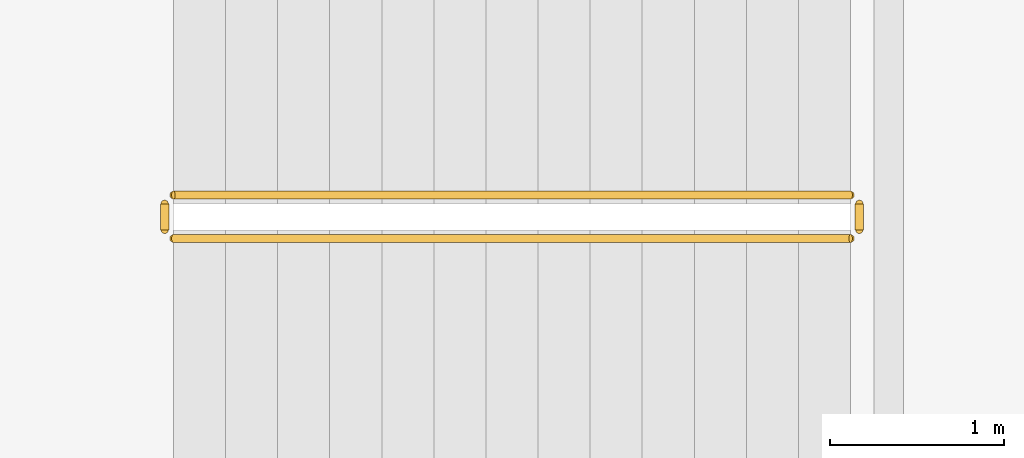
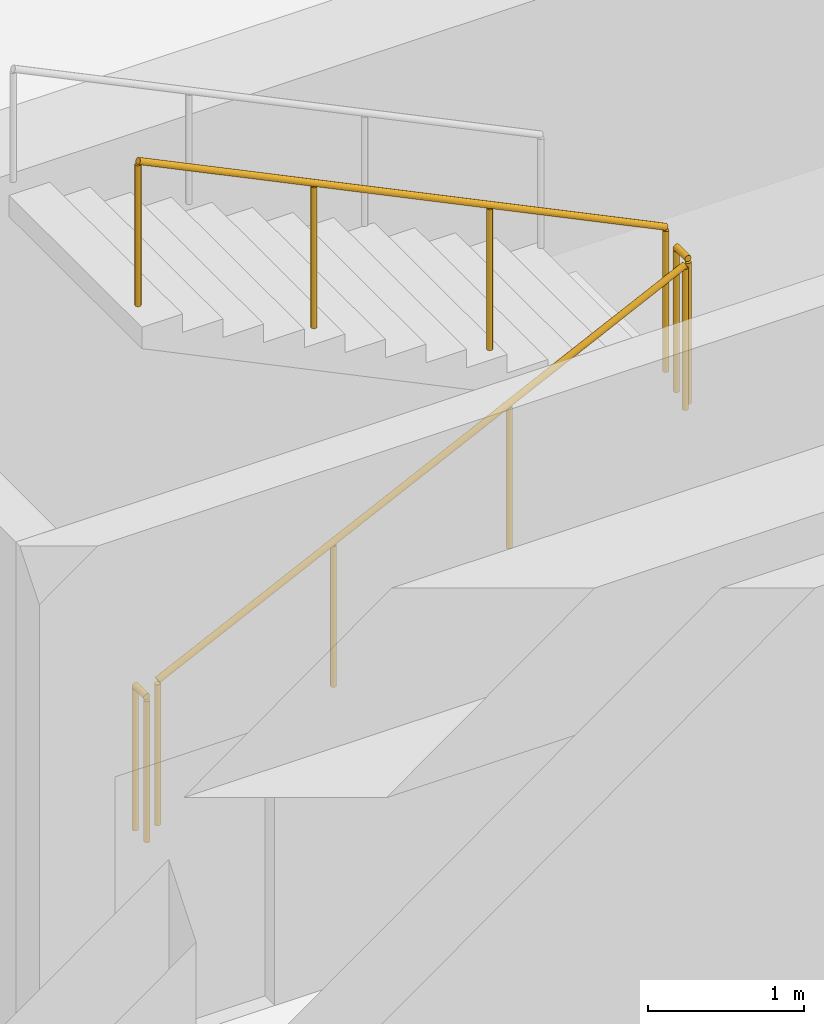
# One storey, part 35 of 36: 4 railings.
"""IFC4 building model written with IfcOpenShell, lengths in metres."""

from ifc_helpers import new_model, si_unit, direction, frame, origin, origin_2d, place, context, subcontext, project, spatial, circle, extrude, material, type_object, element, save


model = new_model("IFC4")

# Units and contexts
model_context = context("Model", 3, precision=1e-05, world=origin(), true_north=direction((0.0, 1.0)))
body_context = subcontext(model_context, "Body", "Model", "MODEL_VIEW")
ifc_project = project(units=[si_unit("LENGTHUNIT", "METRE"), si_unit("AREAUNIT", "SQUARE_METRE"), si_unit("VOLUMEUNIT", "CUBIC_METRE"), si_unit("PLANEANGLEUNIT", "RADIAN"), si_unit("MASSUNIT", "GRAM", prefix="KILO")], contexts=[model_context])

# Site, building, storey
site_placement = place(None, origin())
site = spatial("IfcSite", under=ifc_project, at=site_placement, CompositionType="ELEMENT")
building_placement = place(site_placement, origin())
building = spatial("IfcBuilding", under=site, at=building_placement, Name="Punatoya Terracotta Tower", CompositionType="ELEMENT")
storey_placement = place(building_placement, frame((0.0, 0.0, 212.699951171875)))
storey = spatial("IfcBuildingStorey", under=building, at=storey_placement, Name="L50", CompositionType="ELEMENT", Elevation=212.699951171875)

# Railings
ifc_material = material(Name="Steel S355", Category="steel")
railing_type = type_object("IfcRailingType", Name="RLG-GRD-1150", PredefinedType="GUARDRAIL", material=ifc_material)
railing_1_placement = place(storey_placement, frame((-2.89990234375, 6.949951171875, 0.144775390625)))
element("IfcRailing", 1, at=railing_1_placement, inside=storey, type_object=railing_type, Name="L50 ST-3 stair guard 1", PredefinedType="GUARDRAIL", context=body_context, shape_type="SweptSolid", body=[
    extrude(circle(Radius=0.02392578125, at=origin_2d()), frame((0.0, 0.0, 1.1259765625), z_axis=(0.900763166376, 0.0, 0.434310623978), x_axis=(0.0, 1.0, 0.0)), (0.0, 0.0, 1.0), 4.32958984375),
    extrude(circle(Radius=0.02099609375, at=origin_2d()), origin(), (0.0, 0.0, 1.0), 1.101806640625),
    extrude(circle(Radius=0.02099609375, at=origin_2d()), frame((1.300048828125, 0.0, 0.626708984375)), (0.0, 0.0, 1.0), 1.101806640625),
    extrude(circle(Radius=0.02099609375, at=origin_2d()), frame((2.599853515625, 0.0, 1.253662109375)), (0.0, 0.0, 1.0), 1.101806640625),
    extrude(circle(Radius=0.02099609375, at=origin_2d()), frame((3.89990234375, 0.0, 1.88037109375)), (0.0, 0.0, 1.0), 1.101806640625),
])
railing_2_placement = place(storey_placement, frame((1.050048828125, 7.0, 2.025146484375)))
element("IfcRailing", 2, at=railing_2_placement, inside=storey, type_object=railing_type, Name="L50 ST-3 stair guard 2", PredefinedType="GUARDRAIL", context=body_context, shape_type="SweptSolid", body=[
    extrude(circle(Radius=0.02392578125, at=origin_2d()), frame((0.0, 0.0, 1.1259765625), z_axis=(0.0, 1.0, 0.0), x_axis=(-1.0, 0.0, 0.0)), (0.0, 0.0, 1.0), 0.14990234375),
    extrude(circle(Radius=0.02099609375, at=origin_2d()), origin(), (0.0, 0.0, 1.0), 1.101806640625),
    extrude(circle(Radius=0.02099609375, at=origin_2d()), frame((0.0, 0.14990234375, 0.0)), (0.0, 0.0, 1.0), 1.101806640625),
])
railing_3_placement = place(storey_placement, frame((1.0, 7.199951171875, 2.169677734375)))
element("IfcRailing", 3, at=railing_3_placement, inside=storey, type_object=railing_type, Name="L50 ST-3 stair guard 3", PredefinedType="GUARDRAIL", context=body_context, shape_type="SweptSolid", body=[
    extrude(circle(Radius=0.02392578125, at=origin_2d()), frame((0.0, 0.0, 1.1259765625), z_axis=(-0.900763166376, 0.0, 0.434310623978), x_axis=(0.0, -1.0, 0.0)), (0.0, 0.0, 1.0), 4.32958984375),
    extrude(circle(Radius=0.02099609375, at=origin_2d()), origin(), (0.0, 0.0, 1.0), 1.101806640625),
    extrude(circle(Radius=0.02099609375, at=origin_2d()), frame((-1.300048828125, 0.0, 0.626708984375)), (0.0, 0.0, 1.0), 1.101806640625),
    extrude(circle(Radius=0.02099609375, at=origin_2d()), frame((-2.599853515625, 0.0, 1.253662109375)), (0.0, 0.0, 1.0), 1.101806640625),
    extrude(circle(Radius=0.02099609375, at=origin_2d()), frame((-3.89990234375, 0.0, 1.88037109375)), (0.0, 0.0, 1.0), 1.101806640625),
])
railing_4_placement = place(storey_placement, frame((-2.949951171875, 7.0, 0.0)))
element("IfcRailing", 4, at=railing_4_placement, inside=storey, type_object=railing_type, Name="L50 ST-3 stair guard 4", PredefinedType="GUARDRAIL", context=body_context, shape_type="SweptSolid", body=[
    extrude(circle(Radius=0.02392578125, at=origin_2d()), frame((0.0, 0.0, 1.1259765625), z_axis=(0.0, 1.0, 0.0), x_axis=(-1.0, 0.0, 0.0)), (0.0, 0.0, 1.0), 0.14990234375),
    extrude(circle(Radius=0.02099609375, at=origin_2d()), origin(), (0.0, 0.0, 1.0), 1.101806640625),
    extrude(circle(Radius=0.02099609375, at=origin_2d()), frame((0.0, 0.14990234375, 0.0)), (0.0, 0.0, 1.0), 1.101806640625),
])

save(model, "model.ifc")
